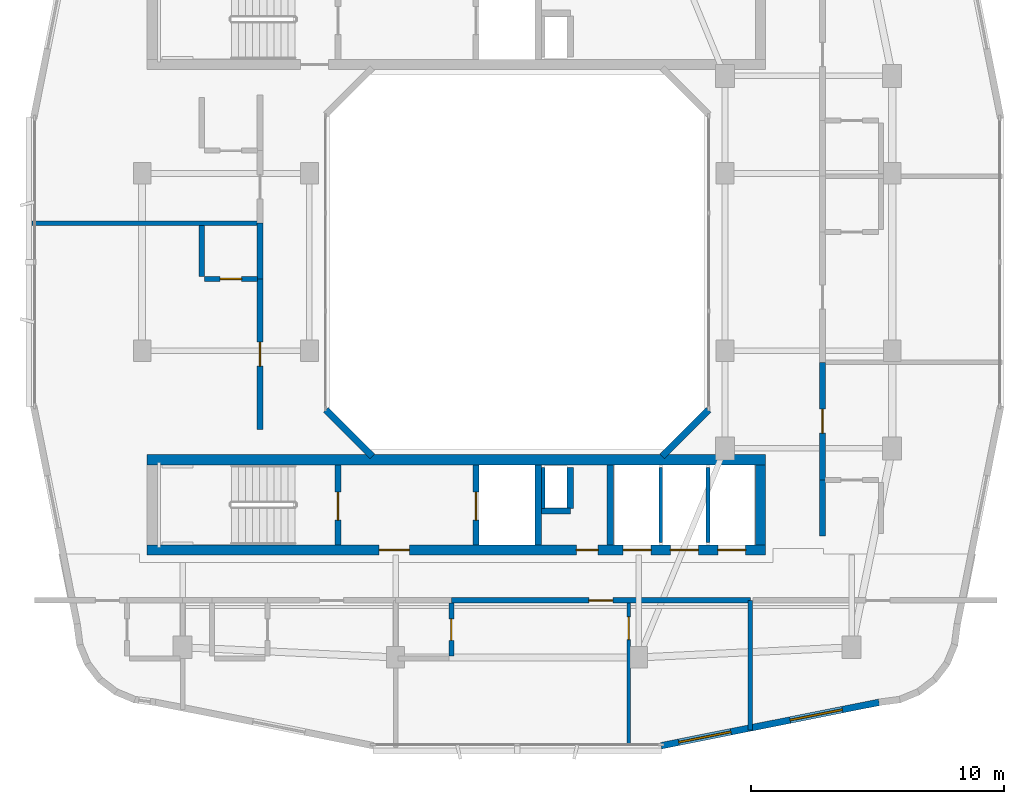
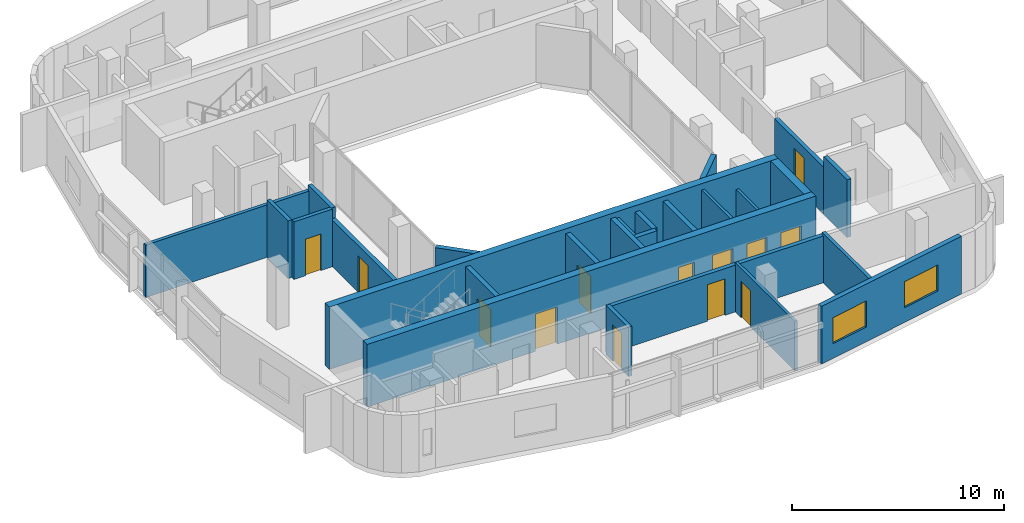
# One storey, part 7 of 14: 26 walls, 13 doors, 2 windows, 15 openings.
"""IFC4 building model written with IfcOpenShell, lengths in metres."""

from ifc_helpers import new_model, si_unit, derived_unit, direction, frame, frame_2d, origin, place, context, subcontext, project, spatial, rectangle, extrude, material, layer, layer_set, type_object, element, fill, save


model = new_model("IFC4")

# Units and contexts
model_context = context("Model", 3, precision=1e-05, world=origin(), true_north=direction((0.0, 1.0)))
body_context = subcontext(model_context, "Body", "Model", "MODEL_VIEW")
ifc_project = project(units=[si_unit("LENGTHUNIT", "METRE"), si_unit("AREAUNIT", "SQUARE_METRE"), si_unit("VOLUMEUNIT", "CUBIC_METRE"), si_unit("PLANEANGLEUNIT", "RADIAN"), si_unit("MASSUNIT", "GRAM", prefix="KILO"), derived_unit("THERMALTRANSMITTANCEUNIT", [(si_unit("POWERUNIT", "WATT"), 1), (si_unit("LENGTHUNIT", "METRE"), -2), (si_unit("THERMODYNAMICTEMPERATUREUNIT", "KELVIN"), -1)])], contexts=[model_context])

# Site, building, storey
site_placement = place(None, origin())
site = spatial("IfcSite", under=ifc_project, at=site_placement, CompositionType="ELEMENT")
building_placement = place(site_placement, origin())
building = spatial("IfcBuilding", under=site, at=building_placement, Name="Kivonza Crest Hotel", CompositionType="ELEMENT")
storey_placement = place(building_placement, frame((0.0, 0.0, 202.699951171875)))
storey = spatial("IfcBuildingStorey", under=building, at=storey_placement, Name="L55", CompositionType="ELEMENT", Elevation=202.699951171875)

# Walls
ifc_material_1 = material(Name="High-density acoustic masonry inter-tenancy wall", Category="masonry")
ifc_layer_1 = layer(ifc_material_1, 0.179931640625)
ifc_layer_set_1 = layer_set([ifc_layer_1], Name="High-density acoustic masonry inter-tenancy wall")
wall_type_1 = type_object("IfcWallType", Name="WL-ACOU-180", PredefinedType="SOLIDWALL", material=ifc_layer_set_1)
wall_1_placement = place(storey_placement, frame((30.199951171875, 6.5458984375, 0.0), z_axis=(0.0, 0.0, 1.0), x_axis=(0.0, 1.0, 0.0)))
element("IfcWall", 1, at=wall_1_placement, inside=storey, type_object=wall_type_1, Name="L55 interior partition WA-L55-T1S-DIV3", PredefinedType="SOLIDWALL", context=body_context, shape_type="SweptSolid", body=[
    extrude(rectangle(XDim=5.10400390625, YDim=0.179931640625, at=frame_2d((2.552001953125, 0.0))), origin(), (0.0, 0.0, 1.0), 2.844970703125),
])
wall_2_placement = place(storey_placement, frame((1.860107421875, 26.5400390625, 0.0), z_axis=(0.0, 0.0, 1.0), x_axis=(1.0, 0.0, 0.0)))
element("IfcWall", 2, at=wall_2_placement, inside=storey, type_object=wall_type_1, Name="L55 interior partition WA-L55-T1W-DIV1", PredefinedType="SOLIDWALL", context=body_context, shape_type="SweptSolid", body=[
    extrude(rectangle(XDim=8.989990234375, YDim=0.179931640625, at=frame_2d((4.4951171875, 0.0))), origin(), (0.0, 0.0, 1.0), 3.01513671875),
])

# Wall, opening, door
ifc_material_2 = material(Name="Autoclaved aerated concrete blockwork", Category="masonry")
ifc_layer_2 = layer(ifc_material_2, 0.219970703125)
ifc_layer_set_2 = layer_set([ifc_layer_2], Name="Autoclaved aerated concrete blockwork")
wall_type_2 = type_object("IfcWallType", Name="WL-ACOU-220", PredefinedType="SOLIDWALL", material=ifc_layer_set_2)
wall_3_placement = place(storey_placement, frame((18.39990234375, 11.64990234375, 0.0), z_axis=(0.0, 0.0, 1.0), x_axis=(1.0, 0.0, 0.0)))
wall_3 = element("IfcWall", 3, at=wall_3_placement, inside=storey, type_object=wall_type_2, Name="L55 interior partition WA-L55-S06-MCORR", PredefinedType="SOLIDWALL", context=body_context, shape_type="SweptSolid", body=[
    extrude(rectangle(XDim=11.800048828125, YDim=0.219970703125, at=frame_2d((5.89990234375, 0.0))), origin(), (0.0, 0.0, 1.0), 2.695068359375),
])
opening_1_placement = place(wall_3_placement, frame((5.425048828125, 0.0, 0.0)))
opening_1 = element("IfcOpeningElement", 4, at=opening_1_placement, cuts=wall_3, Name="Opening DU-60", PredefinedType="OPENING", context=body_context, shape_type="SweptSolid", body=[
    extrude(rectangle(XDim=0.949951171875, YDim=2.10009765625, at=frame_2d((0.47509765625, 1.050048828125))), frame((0.0, 0.1201171875, 0.0), z_axis=(0.0, -1.0, 0.0), x_axis=(1.0, 0.0, 0.0)), (0.0, 0.0, 1.0), 0.239990234375),
])
ifc_material_3 = material(Name="Hardwood timber oak", Category="wood")
door_type_1 = type_object("IfcDoorType", Name="DR-UNIT-950", OperationType="NOTDEFINED", PredefinedType="DOOR", material=ifc_material_3)
door_1_placement = place(opening_1_placement, frame((0.949951171875, 0.0, 0.0), z_axis=(0.0, 0.0, 1.0), x_axis=(-1.0, 0.0, 0.0)))
door_1 = element("IfcDoor", 5, at=door_1_placement, inside=storey, type_object=door_type_1, Name="L55 S06 guest unit entrance fire door", OperationType="SINGLE_SWING_RIGHT", OverallHeight=2.10009765625, OverallWidth=0.949951171875, PredefinedType="DOOR", context=body_context, shape_type="SweptSolid", body=[
    extrude(rectangle(XDim=0.949951171875, YDim=2.10009765625, at=frame_2d((0.47509765625, 1.050048828125))), frame((0.0, 0.02490234375, 0.0), z_axis=(0.0, -1.0, 0.0), x_axis=(1.0, 0.0, 0.0)), (0.0, 0.0, 1.0), 0.050048828125),
])
fill(opening_1, door_1)

# Wall
wall_4_placement = place(storey_placement, frame((10.85009765625, 24.340087890625, 0.0), z_axis=(0.0, 0.0, 1.0), x_axis=(0.0, 1.0, 0.0)))
element("IfcWall", 6, at=wall_4_placement, inside=storey, type_object=wall_type_2, Name="L55 interior partition WA-L55-W07-BCORR", PredefinedType="SOLIDWALL", context=body_context, shape_type="SweptSolid", body=[
    extrude(rectangle(XDim=2.199951171875, YDim=0.219970703125, at=frame_2d((1.10009765625, 0.0))), origin(), (0.0, 0.0, 1.0), 3.320068359375),
])

# Wall, opening, door
wall_5_placement = place(storey_placement, frame((10.85009765625, 18.39990234375, 0.0), z_axis=(0.0, 0.0, 1.0), x_axis=(0.0, 1.0, 0.0)))
wall_5 = element("IfcWall", 7, at=wall_5_placement, inside=storey, type_object=wall_type_2, Name="L55 interior partition WA-L55-W07-MCORR", PredefinedType="SOLIDWALL", context=body_context, shape_type="SweptSolid", body=[
    extrude(rectangle(XDim=5.940185546875, YDim=0.219970703125, at=frame_2d((2.97021484375, 0.0))), origin(), (0.0, 0.0, 1.0), 2.695068359375),
])
opening_2_placement = place(wall_5_placement, frame((2.4951171875, 0.0, 0.0)))
opening_2 = element("IfcOpeningElement", 8, at=opening_2_placement, cuts=wall_5, Name="Opening DU-60", PredefinedType="OPENING", context=body_context, shape_type="SweptSolid", body=[
    extrude(rectangle(XDim=0.949951171875, YDim=2.10009765625, at=frame_2d((0.47509765625, 1.050048828125))), frame((0.0, 0.1201171875, 0.0), z_axis=(0.0, -1.0, 0.0), x_axis=(1.0, 0.0, 0.0)), (0.0, 0.0, 1.0), 0.239990234375),
])
door_2_placement = place(opening_2_placement, origin())
door_2 = element("IfcDoor", 9, at=door_2_placement, inside=storey, type_object=door_type_1, Name="L55 W07 guest unit entrance fire door", OperationType="SINGLE_SWING_LEFT", OverallHeight=2.10009765625, OverallWidth=0.949951171875, PredefinedType="DOOR", context=body_context, shape_type="SweptSolid", body=[
    extrude(rectangle(XDim=0.949951171875, YDim=2.10009765625, at=frame_2d((0.47509765625, 1.050048828125))), frame((0.0, 0.02490234375, 0.0), z_axis=(0.0, -1.0, 0.0), x_axis=(1.0, 0.0, 0.0)), (0.0, 0.0, 1.0), 0.050048828125),
])
fill(opening_2, door_2)

# Wall
wall_6_placement = place(storey_placement, frame((33.050048828125, 14.199951171875, 0.0), z_axis=(0.0, 0.0, 1.0), x_axis=(0.0, 1.0, 0.0)))
element("IfcWall", 10, at=wall_6_placement, inside=storey, type_object=wall_type_2, Name="L55 interior partition WA-L55-E09-BCORR", PredefinedType="SOLIDWALL", context=body_context, shape_type="SweptSolid", body=[
    extrude(rectangle(XDim=2.199951171875, YDim=0.219970703125, at=frame_2d((1.10009765625, 0.0))), origin(), (0.0, 0.0, 1.0), 3.320068359375),
])

# Wall, opening, door
wall_7_placement = place(storey_placement, frame((33.050048828125, 16.39990234375, 0.0), z_axis=(0.0, 0.0, 1.0), x_axis=(0.0, 1.0, 0.0)))
wall_7 = element("IfcWall", 11, at=wall_7_placement, inside=storey, type_object=wall_type_2, Name="L55 interior partition WA-L55-E09-MCORR", PredefinedType="SOLIDWALL", context=body_context, shape_type="SweptSolid", body=[
    extrude(rectangle(XDim=4.649169921875, YDim=0.219970703125, at=frame_2d((2.32470703125, 0.0))), origin(), (0.0, 0.0, 1.0), 2.695068359375),
])
opening_3_placement = place(wall_7_placement, frame((1.85009765625, 0.0, 0.0)))
opening_3 = element("IfcOpeningElement", 12, at=opening_3_placement, cuts=wall_7, Name="Opening DU-60", PredefinedType="OPENING", context=body_context, shape_type="SweptSolid", body=[
    extrude(rectangle(XDim=0.949951171875, YDim=2.10009765625, at=frame_2d((0.47509765625, 1.050048828125))), frame((0.0, 0.1201171875, 0.0), z_axis=(0.0, -1.0, 0.0), x_axis=(1.0, 0.0, 0.0)), (0.0, 0.0, 1.0), 0.239990234375),
])
door_3_placement = place(opening_3_placement, frame((0.949951171875, 0.0, 0.0), z_axis=(0.0, 0.0, 1.0), x_axis=(-1.0, 0.0, 0.0)))
door_3 = element("IfcDoor", 13, at=door_3_placement, inside=storey, type_object=door_type_1, Name="L55 E09 guest unit entrance fire door", OperationType="SINGLE_SWING_LEFT", OverallHeight=2.10009765625, OverallWidth=0.949951171875, PredefinedType="DOOR", context=body_context, shape_type="SweptSolid", body=[
    extrude(rectangle(XDim=0.949951171875, YDim=2.10009765625, at=frame_2d((0.47509765625, 1.050048828125))), frame((0.0, 0.02490234375, 0.0), z_axis=(0.0, -1.0, 0.0), x_axis=(1.0, 0.0, 0.0)), (0.0, 0.0, 1.0), 0.050048828125),
])
fill(opening_3, door_3)

# Wall, openings, doors
ifc_material_4 = material(Name="Concrete C50/60", Category="concrete")
ifc_layer_3 = layer(ifc_material_4, 0.39990234375)
ifc_layer_set_3 = layer_set([ifc_layer_3], Name="Concrete C50/60")
wall_type_3 = type_object("IfcWallType", Name="WL-CORE-400", PredefinedType="SHEAR", material=ifc_layer_set_3)
wall_8_placement = place(storey_placement, frame((6.39990234375, 13.639892578125, 0.0), z_axis=(0.0, 0.0, 1.0), x_axis=(1.0, 0.0, 0.0)))
wall_8 = element("IfcWall", 14, at=wall_8_placement, inside=storey, type_object=wall_type_3, Name="Core wall T1-S South L55", PredefinedType="SHEAR", context=body_context, shape_type="SweptSolid", body=[
    extrude(rectangle(XDim=24.400146484375, YDim=0.39990234375, at=frame_2d((12.2001953125, 0.0))), origin(), (0.0, 0.0, 1.0), 3.60009765625),
])
opening_4_placement = place(wall_8_placement, frame((9.14990234375, 0.0, 0.0)))
opening_4 = element("IfcOpeningElement", 15, at=opening_4_placement, cuts=wall_8, Name="Opening DF-60", PredefinedType="OPENING", context=body_context, shape_type="SweptSolid", body=[
    extrude(rectangle(XDim=1.199951171875, YDim=2.14990234375, at=frame_2d((0.60009765625, 1.074951171875))), frame((0.0, 0.2099609375, 0.0), z_axis=(0.0, -1.0, 0.0), x_axis=(1.0, 0.0, 0.0)), (0.0, 0.0, 1.0), 0.419921875),
])
opening_5_placement = place(wall_8_placement, frame((16.93994140625, 0.0, 0.0)))
opening_5 = element("IfcOpeningElement", 16, at=opening_5_placement, cuts=wall_8, Name="Opening DF-60R", PredefinedType="OPENING", context=body_context, shape_type="SweptSolid", body=[
    extrude(rectangle(XDim=0.85009765625, YDim=2.10009765625, at=frame_2d((0.425048828125, 1.050048828125))), frame((0.0, 0.2099609375, 0.0), z_axis=(0.0, -1.0, 0.0), x_axis=(1.0, 0.0, 0.0)), (0.0, 0.0, 1.0), 0.419921875),
])
opening_6_placement = place(wall_8_placement, frame((18.782958984375, 0.0, 0.0)))
opening_6 = element("IfcOpeningElement", 17, at=opening_6_placement, cuts=wall_8, Name="Opening LD-120", PredefinedType="OPENING", context=body_context, shape_type="SweptSolid", body=[
    extrude(rectangle(XDim=1.10009765625, YDim=2.14990234375, at=frame_2d((0.550048828125, 1.074951171875))), frame((0.0, 0.2099609375, 0.0), z_axis=(0.0, -1.0, 0.0), x_axis=(1.0, 0.0, 0.0)), (0.0, 0.0, 1.0), 0.419921875),
])
opening_7_placement = place(wall_8_placement, frame((20.64990234375, 0.0, 0.0)))
opening_7 = element("IfcOpeningElement", 18, at=opening_7_placement, cuts=wall_8, Name="Opening LD-120", PredefinedType="OPENING", context=body_context, shape_type="SweptSolid", body=[
    extrude(rectangle(XDim=1.10009765625, YDim=2.14990234375, at=frame_2d((0.550048828125, 1.074951171875))), frame((0.0, 0.2099609375, 0.0), z_axis=(0.0, -1.0, 0.0), x_axis=(1.0, 0.0, 0.0)), (0.0, 0.0, 1.0), 0.419921875),
])
opening_8_placement = place(wall_8_placement, frame((22.51708984375, 0.0, 0.0)))
opening_8 = element("IfcOpeningElement", 19, at=opening_8_placement, cuts=wall_8, Name="Opening LD-120", PredefinedType="OPENING", context=body_context, shape_type="SweptSolid", body=[
    extrude(rectangle(XDim=1.10009765625, YDim=2.14990234375, at=frame_2d((0.550048828125, 1.074951171875))), frame((0.0, 0.2099609375, 0.0), z_axis=(0.0, -1.0, 0.0), x_axis=(1.0, 0.0, 0.0)), (0.0, 0.0, 1.0), 0.419921875),
])
door_type_2 = type_object("IfcDoorType", Name="DR-FD60-1200", OperationType="NOTDEFINED", PredefinedType="DOOR", material=ifc_material_3)
door_4_placement = place(opening_4_placement, frame((1.199951171875, 0.0, 0.0), z_axis=(0.0, 0.0, 1.0), x_axis=(-1.0, 0.0, 0.0)))
door_4 = element("IfcDoor", 20, at=door_4_placement, inside=storey, type_object=door_type_2, Name="L55 T1-S firefighting lobby fire door", OperationType="SINGLE_SWING_LEFT", OverallHeight=2.14990234375, OverallWidth=1.199951171875, PredefinedType="DOOR", context=body_context, shape_type="SweptSolid", body=[
    extrude(rectangle(XDim=1.199951171875, YDim=2.14990234375, at=frame_2d((0.60009765625, 1.074951171875))), frame((0.0, 0.02490234375, 0.0), z_axis=(0.0, -1.0, 0.0), x_axis=(1.0, 0.0, 0.0)), (0.0, 0.0, 1.0), 0.050048828125),
])
fill(opening_4, door_4)
door_type_3 = type_object("IfcDoorType", Name="DR-FD60-850", OperationType="NOTDEFINED", PredefinedType="DOOR", material=ifc_material_3)
door_5_placement = place(opening_5_placement, frame((0.85009765625, 0.0, 0.0), z_axis=(0.0, 0.0, 1.0), x_axis=(-1.0, 0.0, 0.0)))
door_5 = element("IfcDoor", 21, at=door_5_placement, inside=storey, type_object=door_type_3, Name="L55 T1-S core room door", OperationType="SINGLE_SWING_RIGHT", OverallHeight=2.10009765625, OverallWidth=0.85009765625, PredefinedType="DOOR", context=body_context, shape_type="SweptSolid", body=[
    extrude(rectangle(XDim=0.85009765625, YDim=2.10009765625, at=frame_2d((0.425048828125, 1.050048828125))), frame((0.0, 0.02490234375, 0.0), z_axis=(0.0, -1.0, 0.0), x_axis=(1.0, 0.0, 0.0)), (0.0, 0.0, 1.0), 0.050048828125),
])
fill(opening_5, door_5)
ifc_material_5 = material(Name="Stainless steel", Category="steel")
door_type_4 = type_object("IfcDoorType", Name="DR-LD120-1100", OperationType="NOTDEFINED", PredefinedType="DOOR", material=ifc_material_5)
door_6_placement = place(opening_6_placement, frame((1.10009765625, 0.0, 0.0), z_axis=(0.0, 0.0, 1.0), x_axis=(-1.0, 0.0, 0.0)))
door_6 = element("IfcDoor", 22, at=door_6_placement, inside=storey, type_object=door_type_4, Name="L55 PL-T1-H1 passenger lift sliding landing door", OperationType="DOUBLE_DOOR_SLIDING", OverallHeight=2.14990234375, OverallWidth=1.10009765625, PredefinedType="DOOR", context=body_context, shape_type="SweptSolid", body=[
    extrude(rectangle(XDim=1.10009765625, YDim=2.14990234375, at=frame_2d((0.550048828125, 1.074951171875))), frame((0.0, 0.02490234375, 0.0), z_axis=(0.0, -1.0, 0.0), x_axis=(1.0, 0.0, 0.0)), (0.0, 0.0, 1.0), 0.050048828125),
])
fill(opening_6, door_6)
door_7_placement = place(opening_7_placement, frame((1.10009765625, 0.0, 0.0), z_axis=(0.0, 0.0, 1.0), x_axis=(-1.0, 0.0, 0.0)))
door_7 = element("IfcDoor", 23, at=door_7_placement, inside=storey, type_object=door_type_4, Name="L55 PL-T1-H2 passenger lift sliding landing door", OperationType="DOUBLE_DOOR_SLIDING", OverallHeight=2.14990234375, OverallWidth=1.10009765625, PredefinedType="DOOR", context=body_context, shape_type="SweptSolid", body=[
    extrude(rectangle(XDim=1.10009765625, YDim=2.14990234375, at=frame_2d((0.550048828125, 1.074951171875))), frame((0.0, 0.02490234375, 0.0), z_axis=(0.0, -1.0, 0.0), x_axis=(1.0, 0.0, 0.0)), (0.0, 0.0, 1.0), 0.050048828125),
])
fill(opening_7, door_7)
door_8_placement = place(opening_8_placement, frame((1.10009765625, 0.0, 0.0), z_axis=(0.0, 0.0, 1.0), x_axis=(-1.0, 0.0, 0.0)))
door_8 = element("IfcDoor", 24, at=door_8_placement, inside=storey, type_object=door_type_4, Name="L55 PL-T1-H3 passenger lift sliding landing door", OperationType="DOUBLE_DOOR_SLIDING", OverallHeight=2.14990234375, OverallWidth=1.10009765625, PredefinedType="DOOR", context=body_context, shape_type="SweptSolid", body=[
    extrude(rectangle(XDim=1.10009765625, YDim=2.14990234375, at=frame_2d((0.550048828125, 1.074951171875))), frame((0.0, 0.02490234375, 0.0), z_axis=(0.0, -1.0, 0.0), x_axis=(1.0, 0.0, 0.0)), (0.0, 0.0, 1.0), 0.050048828125),
])
fill(opening_8, door_8)

# Walls
wall_9_placement = place(storey_placement, frame((6.39990234375, 17.199951171875, 0.0), z_axis=(0.0, 0.0, 1.0), x_axis=(1.0, 0.0, 0.0)))
element("IfcWall", 25, at=wall_9_placement, inside=storey, type_object=wall_type_3, Name="Core wall T1-S North L55", PredefinedType="SHEAR", context=body_context, shape_type="SweptSolid", body=[
    extrude(rectangle(XDim=24.400146484375, YDim=0.39990234375, at=frame_2d((12.2001953125, 0.0))), origin(), (0.0, 0.0, 1.0), 3.60009765625),
])
wall_10_placement = place(storey_placement, frame((30.60009765625, 13.840087890625, 0.0), z_axis=(0.0, 0.0, 1.0), x_axis=(0.0, 1.0, 0.0)))
element("IfcWall", 26, at=wall_10_placement, inside=storey, type_object=wall_type_3, Name="Core wall T1-S East L55", PredefinedType="SHEAR", context=body_context, shape_type="SweptSolid", body=[
    extrude(rectangle(XDim=3.159912109375, YDim=0.39990234375, at=frame_2d((1.580078125, 0.0))), origin(), (0.0, 0.0, 1.0), 3.60009765625),
])

# Wall, openings, windows
ifc_material_6 = material(Name="Precast concrete C40/50", Category="concrete")
ifc_layer_4 = layer(ifc_material_6, 0.260009765625)
ifc_layer_set_4 = layer_set([ifc_layer_4], Name="Precast concrete C40/50")
wall_type_4 = type_object("IfcWallType", Name="WL-EXT-260", PredefinedType="STANDARD", material=ifc_layer_set_4)
wall_11_placement = place(storey_placement, frame((26.680908203125, 5.916015625, 0.0), z_axis=(0.0, 0.0, 1.0), x_axis=(0.980745199176, 0.195291715883, 0.0)))
wall_11 = element("IfcWall", 27, at=wall_11_placement, inside=storey, type_object=wall_type_4, Name="L55 T1 exterior insulated wall 9", PredefinedType="STANDARD", context=body_context, shape_type="SweptSolid", body=[
    extrude(rectangle(XDim=8.77099609375, YDim=0.260009765625, at=frame_2d((4.385498046875, 0.0))), origin(), (0.0, 0.0, 1.0), 3.320068359375),
])
opening_9_placement = place(wall_11_placement, frame((0.70703125, 0.0, 0.85009765625)))
opening_9 = element("IfcOpeningElement", 28, at=opening_9_placement, cuts=wall_11, Name="Opening WN-04", PredefinedType="OPENING", context=body_context, shape_type="SweptSolid", body=[
    extrude(rectangle(XDim=2.10009765625, YDim=1.5, at=frame_2d((1.050048828125, 0.75))), frame((0.0, 0.14013671875, 0.0), z_axis=(0.0, -1.0, 0.0), x_axis=(1.0, 0.0, 0.0)), (0.0, 0.0, 1.0), 0.280029296875),
])
opening_10_placement = place(wall_11_placement, frame((5.19091796875, 0.0, 0.85009765625)))
opening_10 = element("IfcOpeningElement", 29, at=opening_10_placement, cuts=wall_11, Name="Opening WN-04", PredefinedType="OPENING", context=body_context, shape_type="SweptSolid", body=[
    extrude(rectangle(XDim=2.10009765625, YDim=1.5, at=frame_2d((1.050048828125, 0.75))), frame((0.0, 0.14013671875, 0.0), z_axis=(0.0, -1.0, 0.0), x_axis=(1.0, 0.0, 0.0)), (0.0, 0.0, 1.0), 0.280029296875),
])
ifc_material_7 = material(Name="Thermally broken bronze aluminium and low-E double glazing", Category="aluminium")
window_type = type_object("IfcWindowType", Name="WN-210x150", PartitioningType="DOUBLE_PANEL_VERTICAL", PredefinedType="WINDOW", material=ifc_material_7)
window_1_placement = place(opening_9_placement, origin())
window_1 = element("IfcWindow", 30, at=window_1_placement, inside=storey, type_object=window_type, Name="L55 T1 facade window 9 bay 1", OverallHeight=1.5, OverallWidth=2.10009765625, PartitioningType="SINGLE_PANEL", PredefinedType="WINDOW", context=body_context, shape_type="SweptSolid", body=[
    extrude(rectangle(XDim=2.10009765625, YDim=1.5, at=frame_2d((1.050048828125, 0.75))), frame((0.0, 0.030029296875, 0.0), z_axis=(0.0, -1.0, 0.0), x_axis=(1.0, 0.0, 0.0)), (0.0, 0.0, 1.0), 0.06005859375),
])
fill(opening_9, window_1)
window_2_placement = place(opening_10_placement, origin())
window_2 = element("IfcWindow", 31, at=window_2_placement, inside=storey, type_object=window_type, Name="L55 T1 facade window 9 bay 2", OverallHeight=1.5, OverallWidth=2.10009765625, PartitioningType="SINGLE_PANEL", PredefinedType="WINDOW", context=body_context, shape_type="SweptSolid", body=[
    extrude(rectangle(XDim=2.10009765625, YDim=1.5, at=frame_2d((1.050048828125, 0.75))), frame((0.0, 0.030029296875, 0.0), z_axis=(0.0, -1.0, 0.0), x_axis=(1.0, 0.0, 0.0)), (0.0, 0.0, 1.0), 0.06005859375),
])
fill(opening_10, window_2)

# Walls
for number, where, z_axis, x_axis, name in (
    (32, (26.721923828125, 17.337890625, 0.0), (0.0, 0.0, 1.0), (0.707059717605, 0.707153841636, 0.0), "L55 T1 light-well exterior wall 2"),
    (33, (13.444091796875, 19.172119140625, 0.0), (0.0, 0.0, 1.0), (0.707059717605, -0.707153841636, 0.0), "L55 T1 light-well exterior wall 8"),
):
    element("IfcWall", number, at=place(storey_placement, frame(where, z_axis=z_axis, x_axis=x_axis)), inside=storey, type_object=wall_type_4, Name=name, PredefinedType="STANDARD", context=body_context, shape_type="SweptSolid", body=[
        extrude(rectangle(XDim=2.59375, YDim=0.260009765625, at=frame_2d((1.296875, 0.0))), origin(), (0.0, 0.0, 1.0), 3.320068359375),
    ])
ifc_material_8 = material(Name="Concrete blockwork fire-compartment wall", Category="masonry")
ifc_layer_5 = layer(ifc_material_8, 0.25)
ifc_layer_set_5 = layer_set([ifc_layer_5], Name="Concrete blockwork fire-compartment wall")
wall_type_5 = type_object("IfcWallType", Name="WL-FIRE-250", PredefinedType="SOLIDWALL", material=ifc_layer_set_5)
wall_12_placement = place(storey_placement, frame((23.10009765625, 15.280029296875, 0.0), z_axis=(0.0, 0.0, 1.0), x_axis=(0.0, 1.0, 0.0)))
element("IfcWall", 34, at=wall_12_placement, inside=storey, type_object=wall_type_5, Name="L55 interior partition WA-L55-T1-S-MEPR-E", PredefinedType="SOLIDWALL", context=body_context, shape_type="SweptSolid", body=[
    extrude(rectangle(XDim=1.619873046875, YDim=0.25, at=frame_2d((0.81005859375, 0.0))), origin(), (0.0, 0.0, 1.0), 3.320068359375),
])
wall_13_placement = place(storey_placement, frame((21.949951171875, 15.179931640625, 0.0), z_axis=(0.0, 0.0, 1.0), x_axis=(1.0, 0.0, 0.0)))
element("IfcWall", 35, at=wall_13_placement, inside=storey, type_object=wall_type_5, Name="L55 interior partition WA-L55-T1-S-MEPR-H", PredefinedType="SOLIDWALL", context=body_context, shape_type="SweptSolid", body=[
    extrude(rectangle(XDim=1.150146484375, YDim=0.25, at=frame_2d((0.5751953125, 0.0))), origin(), (0.0, 0.0, 1.0), 3.320068359375),
])
ifc_material_9 = material(Name="Twin-stud acoustic gypsum board partition", Category="gypsum")
ifc_layer_6 = layer(ifc_material_9, 0.14990234375)
ifc_layer_set_6 = layer_set([ifc_layer_6], Name="Twin-stud acoustic gypsum board partition")
wall_type_6 = type_object("IfcWallType", Name="WL-PART-150", PredefinedType="PARTITIONING", material=ifc_layer_set_6)
wall_14_placement = place(storey_placement, frame((22.030029296875, 15.280029296875, 0.0), z_axis=(0.0, 0.0, 1.0), x_axis=(0.0, 1.0, 0.0)))
element("IfcWall", 36, at=wall_14_placement, inside=storey, type_object=wall_type_6, Name="L55 interior partition WA-L55-T1-S-MEPR-W", PredefinedType="PARTITIONING", context=body_context, shape_type="SweptSolid", body=[
    extrude(rectangle(XDim=1.619873046875, YDim=0.14990234375, at=frame_2d((0.81005859375, 0.0))), origin(), (0.0, 0.0, 1.0), 3.320068359375),
])
wall_15_placement = place(storey_placement, frame((26.6669921875, 13.93994140625, 0.0), z_axis=(0.0, 0.0, 1.0), x_axis=(0.0, 1.0, 0.0)))
element("IfcWall", 37, at=wall_15_placement, inside=storey, type_object=wall_type_6, Name="L55 interior partition WP-L55-T1-S-BSH-1", PredefinedType="PARTITIONING", context=body_context, shape_type="SweptSolid", body=[
    extrude(rectangle(XDim=2.9599609375, YDim=0.14990234375, at=frame_2d((1.47998046875, 0.0))), origin(), (0.0, 0.0, 1.0), 3.320068359375),
])
wall_16_placement = place(storey_placement, frame((28.532958984375, 13.93994140625, 0.0), z_axis=(0.0, 0.0, 1.0), x_axis=(0.0, 1.0, 0.0)))
element("IfcWall", 38, at=wall_16_placement, inside=storey, type_object=wall_type_6, Name="L55 interior partition WP-L55-T1-S-BSH-2", PredefinedType="PARTITIONING", context=body_context, shape_type="SweptSolid", body=[
    extrude(rectangle(XDim=2.9599609375, YDim=0.14990234375, at=frame_2d((1.47998046875, 0.0))), origin(), (0.0, 0.0, 1.0), 2.695068359375),
])

# Wall, opening, door
wall_17_placement = place(storey_placement, frame((25.39990234375, 5.9599609375, 0.0), z_axis=(0.0, 0.0, 1.0), x_axis=(0.0, 1.0, 0.0)))
wall_17 = element("IfcWall", 39, at=wall_17_placement, inside=storey, type_object=wall_type_6, Name="L55 interior partition WP-L55-S06-SPSP", PredefinedType="PARTITIONING", context=body_context, shape_type="SweptSolid", body=[
    extrude(rectangle(XDim=5.590087890625, YDim=0.14990234375, at=frame_2d((2.794921875, 0.0))), origin(), (0.0, 0.0, 1.0), 2.844970703125),
])
opening_11_placement = place(wall_17_placement, frame((4.139892578125, 0.0, 0.0)))
opening_11 = element("IfcOpeningElement", 40, at=opening_11_placement, cuts=wall_17, Name="Opening DI-90", PredefinedType="OPENING", context=body_context, shape_type="SweptSolid", body=[
    extrude(rectangle(XDim=0.89990234375, YDim=2.10009765625, at=frame_2d((0.449951171875, 1.050048828125))), frame((0.0, 0.0849609375, 0.0), z_axis=(0.0, -1.0, 0.0), x_axis=(1.0, 0.0, 0.0)), (0.0, 0.0, 1.0), 0.169921875),
])
door_type_5 = type_object("IfcDoorType", Name="DR-INT-900", OperationType="NOTDEFINED", PredefinedType="DOOR", material=ifc_material_3)
door_9_placement = place(opening_11_placement, origin())
door_9 = element("IfcDoor", 41, at=door_9_placement, inside=storey, type_object=door_type_5, Name="L55 S06 suite bedroom door", OperationType="SINGLE_SWING_LEFT", OverallHeight=2.10009765625, OverallWidth=0.89990234375, PredefinedType="DOOR", context=body_context, shape_type="SweptSolid", body=[
    extrude(rectangle(XDim=0.89990234375, YDim=2.10009765625, at=frame_2d((0.449951171875, 1.050048828125))), frame((0.0, 0.02490234375, 0.0), z_axis=(0.0, -1.0, 0.0), x_axis=(1.0, 0.0, 0.0)), (0.0, 0.0, 1.0), 0.050048828125),
])
fill(opening_11, door_9)

ifc_material_10 = material(Name="Moisture-resistant plumbing chase partition wall", Category="gypsum")
ifc_layer_7 = layer(ifc_material_10, 0.199951171875)
ifc_layer_set_7 = layer_set([ifc_layer_7], Name="Moisture-resistant plumbing chase partition wall")
wall_type_7 = type_object("IfcWallType", Name="WL-PLUMB-200", PredefinedType="PLUMBINGWALL", material=ifc_layer_set_7)
wall_18_placement = place(storey_placement, frame((18.39990234375, 9.449951171875, 0.0), z_axis=(0.0, 0.0, 1.0), x_axis=(0.0, 1.0, 0.0)))
wall_18 = element("IfcWall", 42, at=wall_18_placement, inside=storey, type_object=wall_type_7, Name="L55 interior partition WW-L55-S06-BV", PredefinedType="PLUMBINGWALL", context=body_context, shape_type="SweptSolid", body=[
    extrude(rectangle(XDim=2.10009765625, YDim=0.199951171875, at=frame_2d((1.050048828125, 0.0))), origin(), (0.0, 0.0, 1.0), 2.844970703125),
])
opening_12_placement = place(wall_18_placement, frame((0.625, 0.0, 0.0)))
opening_12 = element("IfcOpeningElement", 43, at=opening_12_placement, cuts=wall_18, Name="Opening DI-85", PredefinedType="OPENING", context=body_context, shape_type="SweptSolid", body=[
    extrude(rectangle(XDim=0.85009765625, YDim=2.10009765625, at=frame_2d((0.425048828125, 1.050048828125))), frame((0.0, 0.10986328125, 0.0), z_axis=(0.0, -1.0, 0.0), x_axis=(1.0, 0.0, 0.0)), (0.0, 0.0, 1.0), 0.219970703125),
])
door_type_6 = type_object("IfcDoorType", Name="DR-INT-850", OperationType="NOTDEFINED", PredefinedType="DOOR", material=ifc_material_3)
door_10_placement = place(opening_12_placement, frame((0.85009765625, 0.0, 0.0), z_axis=(0.0, 0.0, 1.0), x_axis=(-1.0, 0.0, 0.0)))
door_10 = element("IfcDoor", 44, at=door_10_placement, inside=storey, type_object=door_type_6, Name="L55 S06 en-suite bathroom door", OperationType="SINGLE_SWING_LEFT", OverallHeight=2.10009765625, OverallWidth=0.85009765625, PredefinedType="DOOR", context=body_context, shape_type="SweptSolid", body=[
    extrude(rectangle(XDim=0.85009765625, YDim=2.10009765625, at=frame_2d((0.425048828125, 1.050048828125))), frame((0.0, 0.02490234375, 0.0), z_axis=(0.0, -1.0, 0.0), x_axis=(1.0, 0.0, 0.0)), (0.0, 0.0, 1.0), 0.050048828125),
])
fill(opening_12, door_10)

wall_19_placement = place(storey_placement, frame((8.64990234375, 24.340087890625, 0.0), z_axis=(0.0, 0.0, 1.0), x_axis=(1.0, 0.0, 0.0)))
wall_19 = element("IfcWall", 45, at=wall_19_placement, inside=storey, type_object=wall_type_7, Name="L55 interior partition WW-L55-W07-BH", PredefinedType="PLUMBINGWALL", context=body_context, shape_type="SweptSolid", body=[
    extrude(rectangle(XDim=2.10009765625, YDim=0.199951171875, at=frame_2d((1.050048828125, 0.0))), origin(), (0.0, 0.0, 1.0), 3.320068359375),
])
opening_13_placement = place(wall_19_placement, frame((0.625, 0.0, 0.0)))
opening_13 = element("IfcOpeningElement", 46, at=opening_13_placement, cuts=wall_19, Name="Opening DI-85", PredefinedType="OPENING", context=body_context, shape_type="SweptSolid", body=[
    extrude(rectangle(XDim=0.85009765625, YDim=2.10009765625, at=frame_2d((0.425048828125, 1.050048828125))), frame((0.0, 0.10986328125, 0.0), z_axis=(0.0, -1.0, 0.0), x_axis=(1.0, 0.0, 0.0)), (0.0, 0.0, 1.0), 0.219970703125),
])
door_11_placement = place(opening_13_placement, frame((0.85009765625, 0.0, 0.0), z_axis=(0.0, 0.0, 1.0), x_axis=(-1.0, 0.0, 0.0)))
door_11 = element("IfcDoor", 47, at=door_11_placement, inside=storey, type_object=door_type_6, Name="L55 W07 en-suite bathroom door", OperationType="SINGLE_SWING_RIGHT", OverallHeight=2.10009765625, OverallWidth=0.85009765625, PredefinedType="DOOR", context=body_context, shape_type="SweptSolid", body=[
    extrude(rectangle(XDim=0.85009765625, YDim=2.10009765625, at=frame_2d((0.425048828125, 1.050048828125))), frame((0.0, 0.02490234375, 0.0), z_axis=(0.0, -1.0, 0.0), x_axis=(1.0, 0.0, 0.0)), (0.0, 0.0, 1.0), 0.050048828125),
])
fill(opening_13, door_11)

# Wall
wall_20_placement = place(storey_placement, frame((8.550048828125, 24.43994140625, 0.0), z_axis=(0.0, 0.0, 1.0), x_axis=(0.0, 1.0, 0.0)))
element("IfcWall", 48, at=wall_20_placement, inside=storey, type_object=wall_type_7, Name="L55 interior partition WW-L55-W07-BV", PredefinedType="PLUMBINGWALL", context=body_context, shape_type="SweptSolid", body=[
    extrude(rectangle(XDim=2.0, YDim=0.199951171875, at=frame_2d((1.0, 0.0))), origin(), (0.0, 0.0, 1.0), 3.320068359375),
])

# Wall, opening, door
ifc_layer_8 = layer(ifc_material_4, 0.25)
ifc_layer_set_8 = layer_set([ifc_layer_8], Name="Concrete C50/60")
wall_type_8 = type_object("IfcWallType", Name="WL-SHAFT-250", PredefinedType="STANDARD", material=ifc_layer_set_8)
wall_21_placement = place(storey_placement, frame((13.925048828125, 13.840087890625, 0.0), z_axis=(0.0, 0.0, 1.0), x_axis=(0.0, 1.0, 0.0)))
wall_21 = element("IfcWall", 49, at=wall_21_placement, inside=storey, type_object=wall_type_8, Name="Core shaft wall T1-S STAIR L55", PredefinedType="STANDARD", context=body_context, shape_type="SweptSolid", body=[
    extrude(rectangle(XDim=3.159912109375, YDim=0.25, at=frame_2d((1.580078125, 0.0))), origin(), (0.0, 0.0, 1.0), 3.320068359375),
])
opening_14_placement = place(wall_21_placement, frame((0.97998046875, 0.0, 0.0)))
opening_14 = element("IfcOpeningElement", 50, at=opening_14_placement, cuts=wall_21, Name="Opening DF-120", PredefinedType="OPENING", context=body_context, shape_type="SweptSolid", body=[
    extrude(rectangle(XDim=1.10009765625, YDim=2.14990234375, at=frame_2d((0.550048828125, 1.074951171875))), frame((0.0, 0.135009765625, 0.0), z_axis=(0.0, -1.0, 0.0), x_axis=(1.0, 0.0, 0.0)), (0.0, 0.0, 1.0), 0.27001953125),
])
ifc_material_11 = material(Name="Galvanised steel", Category="steel")
door_type_7 = type_object("IfcDoorType", Name="DR-FD120-1100", OperationType="NOTDEFINED", PredefinedType="DOOR", material=ifc_material_11)
door_12_placement = place(opening_14_placement, frame((1.10009765625, 0.0, 0.0), z_axis=(0.0, 0.0, 1.0), x_axis=(-1.0, 0.0, 0.0)))
door_12 = element("IfcDoor", 51, at=door_12_placement, inside=storey, type_object=door_type_7, Name="L55 T1-S stair fire door", OperationType="SINGLE_SWING_RIGHT", OverallHeight=2.14990234375, OverallWidth=1.10009765625, PredefinedType="DOOR", context=body_context, shape_type="SweptSolid", body=[
    extrude(rectangle(XDim=1.10009765625, YDim=2.14990234375, at=frame_2d((0.550048828125, 1.074951171875))), frame((0.0, 0.02490234375, 0.0), z_axis=(0.0, -1.0, 0.0), x_axis=(1.0, 0.0, 0.0)), (0.0, 0.0, 1.0), 0.050048828125),
])
fill(opening_14, door_12)

wall_22_placement = place(storey_placement, frame((19.375, 13.840087890625, 0.0), z_axis=(0.0, 0.0, 1.0), x_axis=(0.0, 1.0, 0.0)))
wall_22 = element("IfcWall", 52, at=wall_22_placement, inside=storey, type_object=wall_type_8, Name="Core shaft wall T1-S FFL-W L55", PredefinedType="STANDARD", context=body_context, shape_type="SweptSolid", body=[
    extrude(rectangle(XDim=3.159912109375, YDim=0.25, at=frame_2d((1.580078125, 0.0))), origin(), (0.0, 0.0, 1.0), 3.320068359375),
])
opening_15_placement = place(wall_22_placement, frame((0.97998046875, 0.0, 0.0)))
opening_15 = element("IfcOpeningElement", 53, at=opening_15_placement, cuts=wall_22, Name="Opening LD-120", PredefinedType="OPENING", context=body_context, shape_type="SweptSolid", body=[
    extrude(rectangle(XDim=1.10009765625, YDim=2.14990234375, at=frame_2d((0.550048828125, 1.074951171875))), frame((0.0, 0.135009765625, 0.0), z_axis=(0.0, -1.0, 0.0), x_axis=(1.0, 0.0, 0.0)), (0.0, 0.0, 1.0), 0.27001953125),
])
door_13_placement = place(opening_15_placement, origin())
door_13 = element("IfcDoor", 54, at=door_13_placement, inside=storey, type_object=door_type_4, Name="L55 FFL-T1-S firefighting lift sliding landing door", OperationType="DOUBLE_DOOR_SLIDING", OverallHeight=2.14990234375, OverallWidth=1.10009765625, PredefinedType="DOOR", context=body_context, shape_type="SweptSolid", body=[
    extrude(rectangle(XDim=1.10009765625, YDim=2.14990234375, at=frame_2d((0.550048828125, 1.074951171875))), frame((0.0, 0.02490234375, 0.0), z_axis=(0.0, -1.0, 0.0), x_axis=(1.0, 0.0, 0.0)), (0.0, 0.0, 1.0), 0.050048828125),
])
fill(opening_15, door_13)

# Walls
for number, where, z_axis, x_axis, name in (
    (55, (21.824951171875, 13.840087890625, 0.0), (0.0, 0.0, 1.0), (0.0, 1.0, 0.0), "Core shaft wall T1-S FFL-E L55"),
    (56, (24.675048828125, 13.840087890625, 0.0), (0.0, 0.0, 1.0), (0.0, 1.0, 0.0), "Core shaft wall T1-S BANK-W L55"),
):
    element("IfcWall", number, at=place(storey_placement, frame(where, z_axis=z_axis, x_axis=x_axis)), inside=storey, type_object=wall_type_8, Name=name, PredefinedType="STANDARD", context=body_context, shape_type="SweptSolid", body=[
        extrude(rectangle(XDim=3.159912109375, YDim=0.25, at=frame_2d((1.580078125, 0.0))), origin(), (0.0, 0.0, 1.0), 3.320068359375),
    ])

save(model, "model.ifc")
